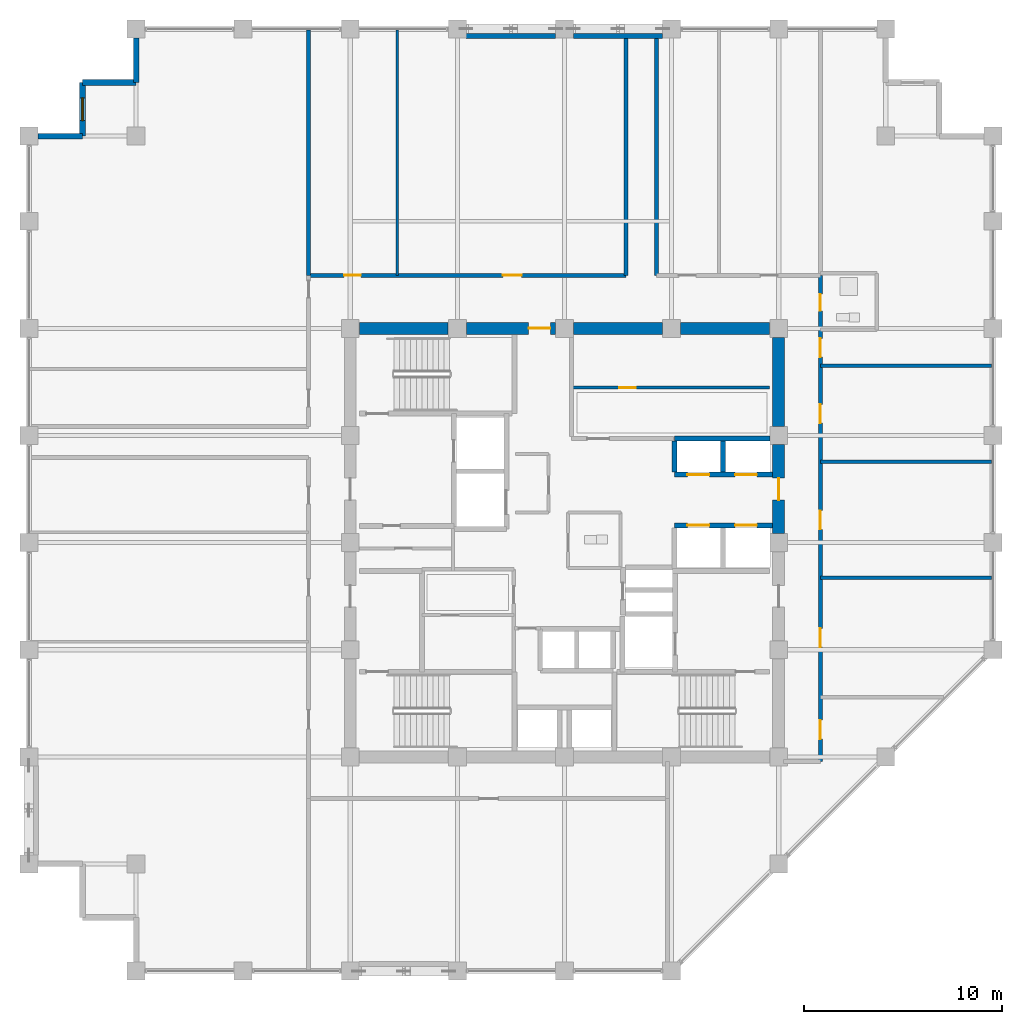
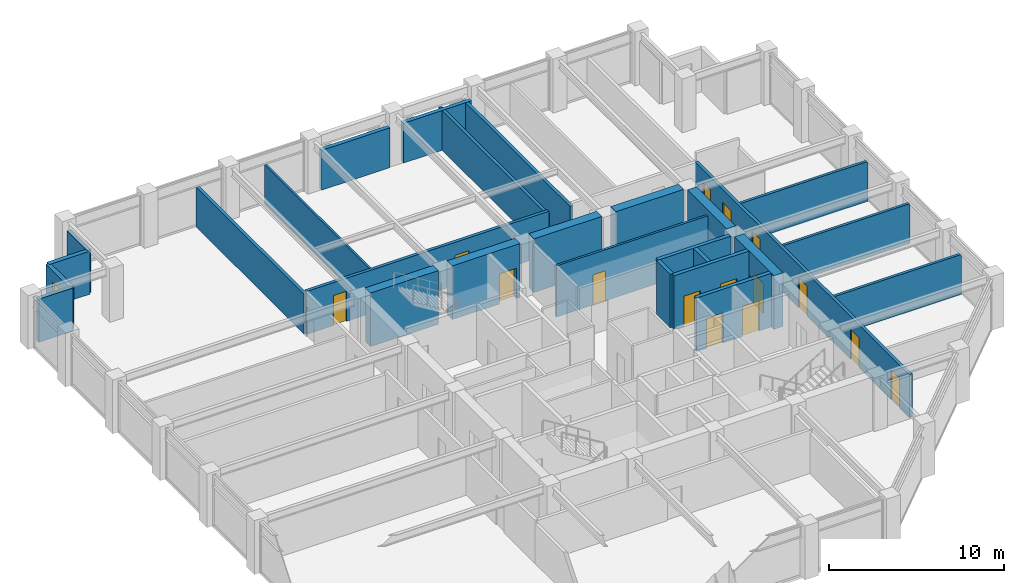
# One storey, part 29 of 32: 27 walls, 15 doors, 1 window, 16 openings.
"""IFC4 building model written with IfcOpenShell, lengths in metres."""

from ifc_helpers import new_model, si_unit, direction, frame, frame_2d, origin, place, context, subcontext, project, spatial, rectangle, extrude, material, layer, layer_set, type_object, element, fill, save


model = new_model("IFC4")

# Units and contexts
model_context = context("Model", 3, precision=1e-05, world=origin(), true_north=direction((0.0, 1.0)))
body_context = subcontext(model_context, "Body", "Model", "MODEL_VIEW")
ifc_project = project(units=[si_unit("LENGTHUNIT", "METRE"), si_unit("AREAUNIT", "SQUARE_METRE"), si_unit("VOLUMEUNIT", "CUBIC_METRE"), si_unit("PLANEANGLEUNIT", "RADIAN"), si_unit("MASSUNIT", "GRAM", prefix="KILO")], contexts=[model_context])

# Site, building, storey
site_placement = place(None, origin())
site = spatial("IfcSite", under=ifc_project, at=site_placement, CompositionType="ELEMENT")
building_placement = place(site_placement, origin())
building = spatial("IfcBuilding", under=site, at=building_placement, Name="Surkhivell Harbour Commons", CompositionType="ELEMENT")
storey_placement = place(building_placement, frame((0.0, 0.0, 197.25)))
storey = spatial("IfcBuildingStorey", under=building, at=storey_placement, Name="L51", CompositionType="ELEMENT", Elevation=197.25)

# Wall
ifc_material_1 = material(Name="Concrete C60/75", Category="concrete")
ifc_layer_1 = layer(ifc_material_1, 0.60009765625)
ifc_layer_set_1 = layer_set([ifc_layer_1], Name="Concrete C60/75")
wall_type_1 = type_object("IfcWallType", Name="WAL-CORE-600", PredefinedType="SHEAR", material=ifc_layer_set_1)
wall_1_placement = place(storey_placement, frame((-10.340087890625, 10.800048828125, 0.0), z_axis=(0.0, 0.0, 1.0), x_axis=(1.0, 0.0, 0.0)))
element("IfcWall", 1, at=wall_1_placement, inside=storey, type_object=wall_type_1, Name="L51 Core Shear Wall North 1", PredefinedType="SHEAR", context=body_context, shape_type="SweptSolid", body=[
    extrude(rectangle(XDim=4.47998046875, YDim=0.60009765625, at=frame_2d((2.239990234375, 0.0))), origin(), (0.0, 0.0, 1.0), 3.75),
])

# Wall, opening, door
wall_2_placement = place(storey_placement, frame((-4.93994140625, 10.800048828125, 0.0), z_axis=(0.0, 0.0, 1.0), x_axis=(1.0, 0.0, 0.0)))
wall_2 = element("IfcWall", 2, at=wall_2_placement, inside=storey, type_object=wall_type_1, Name="L51 Core Shear Wall North 2", PredefinedType="SHEAR", context=body_context, shape_type="SweptSolid", body=[
    extrude(rectangle(XDim=4.47998046875, YDim=0.60009765625, at=frame_2d((2.239990234375, 0.0))), origin(), (0.0, 0.0, 1.0), 3.75),
])
opening_1_placement = place(wall_2_placement, frame((3.1298828125, 0.0, 0.0)))
opening_1 = element("IfcOpeningElement", 3, at=opening_1_placement, cuts=wall_2, Name="Opening ID-2", PredefinedType="OPENING", context=body_context, shape_type="SweptSolid", body=[
    extrude(rectangle(XDim=1.10009765625, YDim=2.10009765625, at=frame_2d((0.550048828125, 1.050048828125))), frame((0.0, 0.31005859375, 0.0), z_axis=(0.0, -1.0, 0.0), x_axis=(1.0, 0.0, 0.0)), (0.0, 0.0, 1.0), 0.6201171875),
])
ifc_material_2 = material(Name="Hardwood-veneered fire-rated door leaf", Category="wood")
door_type_1 = type_object("IfcDoorType", Name="DOR-FD60-1100", OperationType="NOTDEFINED", PredefinedType="DOOR", material=ifc_material_2)
door_1_placement = place(opening_1_placement, origin())
door_1 = element("IfcDoor", 4, at=door_1_placement, inside=storey, type_object=door_type_1, Name="L51 Central Core Lift Hall North Corridor Door", OperationType="SINGLE_SWING_LEFT", OverallHeight=2.10009765625, OverallWidth=1.10009765625, PredefinedType="DOOR", context=body_context, shape_type="SweptSolid", body=[
    extrude(rectangle(XDim=1.10009765625, YDim=2.10009765625, at=frame_2d((0.550048828125, 1.050048828125))), frame((0.0, 0.02490234375, 0.0), z_axis=(0.0, -1.0, 0.0), x_axis=(1.0, 0.0, 0.0)), (0.0, 0.0, 1.0), 0.050048828125),
])
fill(opening_1, door_1)

# Wall
wall_3_placement = place(storey_placement, frame((0.4599609375, 10.800048828125, 0.0), z_axis=(0.0, 0.0, 1.0), x_axis=(1.0, 0.0, 0.0)))
element("IfcWall", 5, at=wall_3_placement, inside=storey, type_object=wall_type_1, Name="L51 Core Shear Wall North 3", PredefinedType="SHEAR", context=body_context, shape_type="SweptSolid", body=[
    extrude(rectangle(XDim=4.47998046875, YDim=0.60009765625, at=frame_2d((2.239990234375, 0.0))), origin(), (0.0, 0.0, 1.0), 3.75),
])

# Wall, opening, door
wall_4_placement = place(storey_placement, frame((10.800048828125, 0.4599609375, 0.0), z_axis=(0.0, 0.0, 1.0), x_axis=(0.0, 1.0, 0.0)))
wall_4 = element("IfcWall", 6, at=wall_4_placement, inside=storey, type_object=wall_type_1, Name="L51 Core Shear Wall East 3", PredefinedType="SHEAR", context=body_context, shape_type="SweptSolid", body=[
    extrude(rectangle(XDim=4.47998046875, YDim=0.60009765625, at=frame_2d((2.239990234375, 0.0))), origin(), (0.0, 0.0, 1.0), 3.75),
])
opening_2_placement = place(wall_4_placement, frame((1.68994140625, 0.0, 0.0)))
opening_2 = element("IfcOpeningElement", 7, at=opening_2_placement, cuts=wall_4, Name="Opening ID-2", PredefinedType="OPENING", context=body_context, shape_type="SweptSolid", body=[
    extrude(rectangle(XDim=1.10009765625, YDim=2.10009765625, at=frame_2d((0.550048828125, 1.050048828125))), frame((0.0, 0.31005859375, 0.0), z_axis=(0.0, -1.0, 0.0), x_axis=(1.0, 0.0, 0.0)), (0.0, 0.0, 1.0), 0.6201171875),
])
door_2_placement = place(opening_2_placement, origin())
door_2 = element("IfcDoor", 8, at=door_2_placement, inside=storey, type_object=door_type_1, Name="L51 Mid-Rise Lobby East Door", OperationType="SINGLE_SWING_LEFT", OverallHeight=2.10009765625, OverallWidth=1.10009765625, PredefinedType="DOOR", context=body_context, shape_type="SweptSolid", body=[
    extrude(rectangle(XDim=1.10009765625, YDim=2.10009765625, at=frame_2d((0.550048828125, 1.050048828125))), frame((0.0, 0.02490234375, 0.0), z_axis=(0.0, -1.0, 0.0), x_axis=(1.0, 0.0, 0.0)), (0.0, 0.0, 1.0), 0.050048828125),
])
fill(opening_2, door_2)

# Walls
for number, where, z_axis, x_axis, name in (
    (9, (5.860107421875, 10.800048828125, 0.0), (0.0, 0.0, 1.0), (1.0, 0.0, 0.0), "L51 Core Shear Wall North 4"),
    (10, (10.800048828125, 5.860107421875, 0.0), (0.0, 0.0, 1.0), (0.0, 1.0, 0.0), "L51 Core Shear Wall East 4"),
):
    element("IfcWall", number, at=place(storey_placement, frame(where, z_axis=z_axis, x_axis=x_axis)), inside=storey, type_object=wall_type_1, Name=name, PredefinedType="SHEAR", context=body_context, shape_type="SweptSolid", body=[
        extrude(rectangle(XDim=4.47998046875, YDim=0.60009765625, at=frame_2d((2.239990234375, 0.0))), origin(), (0.0, 0.0, 1.0), 3.75),
    ])
ifc_material_3 = material(Name="Pale-metal insulated precast concrete C45/55", Category="concrete")
ifc_layer_2 = layer(ifc_material_3, 0.260009765625)
ifc_layer_set_2 = layer_set([ifc_layer_2], Name="Pale-metal insulated precast concrete C45/55")
wall_type_2 = type_object("IfcWallType", Name="WAL-EXT-MTL260", PredefinedType="STANDARD", material=ifc_layer_set_2)
for number, where, z_axis, x_axis, name in (
    (11, (-0.447998046875, 25.5400390625, 0.0), (0.0, 0.0, 1.0), (-1.0, 0.0, 0.0), "L51 Braced-Bay Insulated Spandrel Backing N"),
    (12, (4.951904296875, 25.5400390625, 0.0), (0.0, 0.0, 1.0), (-1.0, 0.0, 0.0), "L51 Braced-Bay Insulated Spandrel Backing N2"),
):
    element("IfcWall", number, at=place(storey_placement, frame(where, z_axis=z_axis, x_axis=x_axis)), inside=storey, type_object=wall_type_2, Name=name, PredefinedType="STANDARD", context=body_context, shape_type="SweptSolid", body=[
        extrude(rectangle(XDim=4.50390625, YDim=0.260009765625, at=frame_2d((2.251953125, 0.0))), origin(), (0.0, 0.0, 1.0), 2.780029296875),
    ])
ifc_material_4 = material(Name="Terracotta-clad reinforced concrete C45/55", Category="masonry")
ifc_layer_3 = layer(ifc_material_4, 0.280029296875)
ifc_layer_set_3 = layer_set([ifc_layer_3], Name="Terracotta-clad reinforced concrete C45/55")
wall_type_3 = type_object("IfcWallType", Name="WAL-EXT-TER280", PredefinedType="STANDARD", material=ifc_layer_set_3)
wall_5_placement = place(storey_placement, frame((-21.60009765625, 25.451904296875, 0.0), z_axis=(0.0, 0.0, 1.0), x_axis=(0.0, -1.0, 0.0)))
element("IfcWall", 13, at=wall_5_placement, inside=storey, type_object=wall_type_3, Name="L51 Serrated Corner Facade Wall 08", PredefinedType="STANDARD", context=body_context, shape_type="SweptSolid", body=[
    extrude(rectangle(XDim=2.251953125, YDim=0.280029296875, at=frame_2d((1.1259765625, 0.0))), origin(), (0.0, 0.0, 1.0), 3.006103515625),
])
wall_6_placement = place(storey_placement, frame((-21.60009765625, 23.199951171875, 0.0), z_axis=(0.0, 0.0, 1.0), x_axis=(-1.0, 0.0, 0.0)))
element("IfcWall", 14, at=wall_6_placement, inside=storey, type_object=wall_type_3, Name="L51 Serrated Corner Facade Wall 09", PredefinedType="STANDARD", context=body_context, shape_type="SweptSolid", body=[
    extrude(rectangle(XDim=2.699951171875, YDim=0.280029296875, at=frame_2d((1.35009765625, 0.0))), origin(), (0.0, 0.0, 1.0), 3.006103515625),
])

# Wall, opening, window
wall_7_placement = place(storey_placement, frame((-24.300048828125, 23.199951171875, 0.0), z_axis=(0.0, 0.0, 1.0), x_axis=(0.0, -1.0, 0.0)))
wall_7 = element("IfcWall", 15, at=wall_7_placement, inside=storey, type_object=wall_type_3, Name="L51 Serrated Corner Facade Wall 10", PredefinedType="STANDARD", context=body_context, shape_type="SweptSolid", body=[
    extrude(rectangle(XDim=2.699951171875, YDim=0.280029296875, at=frame_2d((1.35009765625, 0.0))), origin(), (0.0, 0.0, 1.0), 3.006103515625),
])
opening_3_placement = place(wall_7_placement, frame((0.77490234375, 0.0, 0.64990234375)))
opening_3 = element("IfcOpeningElement", 16, at=opening_3_placement, cuts=wall_7, Name="Opening WN-10", PredefinedType="OPENING", context=body_context, shape_type="SweptSolid", body=[
    extrude(rectangle(XDim=1.14990234375, YDim=1.550048828125, at=frame_2d((0.574951171875, 0.77490234375))), frame((0.0, 0.14990234375, 0.0), z_axis=(0.0, -1.0, 0.0), x_axis=(1.0, 0.0, 0.0)), (0.0, 0.0, 1.0), 0.300048828125),
])
ifc_material_5 = material(Name="Thermal-break aluminium frame and double low-E glazing", Category="aluminium")
window_type = type_object("IfcWindowType", Name="WIN-SER-1150x1550", PartitioningType="SINGLE_PANEL", PredefinedType="WINDOW", material=ifc_material_5)
window_placement = place(opening_3_placement, origin())
window = element("IfcWindow", 17, at=window_placement, inside=storey, type_object=window_type, Name="L51 Serrated Alcove Window 10", OverallHeight=1.550048828125, OverallWidth=1.14990234375, PartitioningType="SINGLE_PANEL", PredefinedType="WINDOW", context=body_context, shape_type="SweptSolid", body=[
    extrude(rectangle(XDim=1.14990234375, YDim=1.550048828125, at=frame_2d((0.574951171875, 0.77490234375))), frame((0.0, 0.030029296875, 0.0), z_axis=(0.0, -1.0, 0.0), x_axis=(1.0, 0.0, 0.0)), (0.0, 0.0, 1.0), 0.06005859375),
])
fill(opening_3, window)

# Walls
wall_8_placement = place(storey_placement, frame((-24.300048828125, 20.5, 0.0), z_axis=(0.0, 0.0, 1.0), x_axis=(-1.0, 0.0, 0.0)))
element("IfcWall", 18, at=wall_8_placement, inside=storey, type_object=wall_type_3, Name="L51 Serrated Corner Facade Wall 11", PredefinedType="STANDARD", context=body_context, shape_type="SweptSolid", body=[
    extrude(rectangle(XDim=2.251953125, YDim=0.280029296875, at=frame_2d((1.1259765625, 0.0))), origin(), (0.0, 0.0, 1.0), 3.006103515625),
])
ifc_material_6 = material(Name="Moisture-resistant acoustic stud partition", Category="other")
ifc_layer_4 = layer(ifc_material_6, 0.125)
ifc_layer_set_4 = layer_set([ifc_layer_4], Name="Moisture-resistant acoustic stud partition")
wall_type_4 = type_object("IfcWallType", Name="WAL-INT-125", PredefinedType="PARTITIONING", material=ifc_layer_set_4)
wall_9_placement = place(storey_placement, frame((-8.419921875, 13.47998046875, 0.0), z_axis=(0.0, 0.0, 1.0), x_axis=(0.0, 1.0, 0.0)))
element("IfcWall", 19, at=wall_9_placement, inside=storey, type_object=wall_type_4, Name="L51 North-West Partition P1", PredefinedType="PARTITIONING", context=body_context, shape_type="SweptSolid", body=[
    extrude(rectangle(XDim=12.360107421875, YDim=0.125, at=frame_2d((6.18017578125, 0.0))), origin(), (0.0, 0.0, 1.0), 2.780029296875),
])

# Wall, opening, door
ifc_material_7 = material(Name="Twin-stud acoustic fireboard partition", Category="other")
ifc_layer_5 = layer(ifc_material_7, 0.14990234375)
ifc_layer_set_5 = layer_set([ifc_layer_5], Name="Twin-stud acoustic fireboard partition")
wall_type_5 = type_object("IfcWallType", Name="WAL-INT-150", PredefinedType="PARTITIONING", material=ifc_layer_set_5)
wall_10_placement = place(storey_placement, frame((0.35009765625, 7.820068359375, 0.0), z_axis=(0.0, 0.0, 1.0), x_axis=(1.0, 0.0, 0.0)))
wall_10 = element("IfcWall", 20, at=wall_10_placement, inside=storey, type_object=wall_type_5, Name="L51 Core Archive Partition", PredefinedType="PARTITIONING", context=body_context, shape_type="SweptSolid", body=[
    extrude(rectangle(XDim=9.989990234375, YDim=0.14990234375, at=frame_2d((4.9951171875, 0.0))), origin(), (0.0, 0.0, 1.0), 3.570068359375),
])
opening_4_placement = place(wall_10_placement, frame((2.39990234375, 0.0, 0.0)))
opening_4 = element("IfcOpeningElement", 21, at=opening_4_placement, cuts=wall_10, Name="Opening ID-6", PredefinedType="OPENING", context=body_context, shape_type="SweptSolid", body=[
    extrude(rectangle(XDim=0.85009765625, YDim=2.10009765625, at=frame_2d((0.425048828125, 1.050048828125))), frame((0.0, 0.0849609375, 0.0), z_axis=(0.0, -1.0, 0.0), x_axis=(1.0, 0.0, 0.0)), (0.0, 0.0, 1.0), 0.169921875),
])
door_type_2 = type_object("IfcDoorType", Name="DOR-FD30-850", OperationType="NOTDEFINED", PredefinedType="DOOR", material=ifc_material_2)
door_3_placement = place(opening_4_placement, origin())
door_3 = element("IfcDoor", 22, at=door_3_placement, inside=storey, type_object=door_type_2, Name="L51 Archive Room Door", OperationType="SINGLE_SWING_LEFT", OverallHeight=2.10009765625, OverallWidth=0.85009765625, PredefinedType="DOOR", context=body_context, shape_type="SweptSolid", body=[
    extrude(rectangle(XDim=0.85009765625, YDim=2.10009765625, at=frame_2d((0.425048828125, 1.050048828125))), frame((0.0, 0.02490234375, 0.0), z_axis=(0.0, -1.0, 0.0), x_axis=(1.0, 0.0, 0.0)), (0.0, 0.0, 1.0), 0.050048828125),
])
fill(opening_4, door_3)

# Walls
ifc_material_8 = material(Name="High-density acoustic blockwork fire partition", Category="masonry")
ifc_layer_6 = layer(ifc_material_8, 0.175048828125)
ifc_layer_set_6 = layer_set([ifc_layer_6], Name="High-density acoustic blockwork fire partition")
wall_type_6 = type_object("IfcWallType", Name="WAL-INT-175", PredefinedType="PARTITIONING", material=ifc_layer_set_6)
for number, where, z_axis, x_axis, name in (
    (23, (12.89990234375, -1.780029296875, 0.0), (0.0, 0.0, 1.0), (1.0, 0.0, 0.0), "L51 East Partition BDP1"),
    (24, (12.89990234375, 4.080078125, 0.0), (0.0, 0.0, 1.0), (1.0, 0.0, 0.0), "L51 East Partition BDP2"),
    (25, (12.89990234375, 8.929931640625, 0.0), (0.0, 0.0, 1.0), (1.0, 0.0, 0.0), "L51 East Partition PTOP"),
):
    element("IfcWall", number, at=place(storey_placement, frame(where, z_axis=z_axis, x_axis=x_axis)), inside=storey, type_object=wall_type_6, Name=name, PredefinedType="PARTITIONING", context=body_context, shape_type="SweptSolid", body=[
        extrude(rectangle(XDim=8.64013671875, YDim=0.175048828125, at=frame_2d((4.320068359375, 0.0))), origin(), (0.0, 0.0, 1.0), 2.780029296875),
    ])
ifc_material_9 = material(Name="Autoclaved aerated concrete blockwork and fire plaster", Category="masonry")
ifc_layer_7 = layer(ifc_material_9, 0.199951171875)
ifc_layer_set_7 = layer_set([ifc_layer_7], Name="Autoclaved aerated concrete blockwork and fire plaster")
wall_type_7 = type_object("IfcWallType", Name="WAL-INT-200", PredefinedType="PARTITIONING", material=ifc_layer_set_7)
wall_11_placement = place(storey_placement, frame((-12.89990234375, 13.47998046875, 0.0), z_axis=(0.0, 0.0, 1.0), x_axis=(0.0, 1.0, 0.0)))
element("IfcWall", 26, at=wall_11_placement, inside=storey, type_object=wall_type_7, Name="L51 North-West Corner Wall", PredefinedType="PARTITIONING", context=body_context, shape_type="SweptSolid", body=[
    extrude(rectangle(XDim=12.360107421875, YDim=0.199951171875, at=frame_2d((6.18017578125, 0.0))), origin(), (0.0, 0.0, 1.0), 2.780029296875),
])

# Wall, openings, doors
wall_12_placement = place(storey_placement, frame((12.89990234375, -11.0400390625, 0.0), z_axis=(0.0, 0.0, 1.0), x_axis=(0.0, 1.0, 0.0)))
wall_12 = element("IfcWall", 27, at=wall_12_placement, inside=storey, type_object=wall_type_7, Name="L51 Corridor East Wall", PredefinedType="PARTITIONING", context=body_context, shape_type="SweptSolid", body=[
    extrude(rectangle(XDim=24.52001953125, YDim=0.199951171875, at=frame_2d((12.260009765625, 0.0))), origin(), (0.0, 0.0, 1.0), 3.006103515625),
])
opening_5_placement = place(wall_12_placement, frame((1.139892578125, 0.0, 0.0)))
opening_5 = element("IfcOpeningElement", 28, at=opening_5_placement, cuts=wall_12, Name="Opening ID-4", PredefinedType="OPENING", context=body_context, shape_type="SweptSolid", body=[
    extrude(rectangle(XDim=0.949951171875, YDim=2.10009765625, at=frame_2d((0.47509765625, 1.050048828125))), frame((0.0, 0.10986328125, 0.0), z_axis=(0.0, -1.0, 0.0), x_axis=(1.0, 0.0, 0.0)), (0.0, 0.0, 1.0), 0.219970703125),
])
opening_6_placement = place(wall_12_placement, frame((22.72509765625, 0.0, 0.0)))
opening_6 = element("IfcOpeningElement", 29, at=opening_6_placement, cuts=wall_12, Name="Opening ID-6", PredefinedType="OPENING", context=body_context, shape_type="SweptSolid", body=[
    extrude(rectangle(XDim=0.85009765625, YDim=2.10009765625, at=frame_2d((0.425048828125, 1.050048828125))), frame((0.0, 0.10986328125, 0.0), z_axis=(0.0, -1.0, 0.0), x_axis=(1.0, 0.0, 0.0)), (0.0, 0.0, 1.0), 0.219970703125),
])
opening_7_placement = place(wall_12_placement, frame((20.389892578125, 0.0, 0.0)))
opening_7 = element("IfcOpeningElement", 30, at=opening_7_placement, cuts=wall_12, Name="Opening ID-4", PredefinedType="OPENING", context=body_context, shape_type="SweptSolid", body=[
    extrude(rectangle(XDim=0.949951171875, YDim=2.10009765625, at=frame_2d((0.47509765625, 1.050048828125))), frame((0.0, 0.10986328125, 0.0), z_axis=(0.0, -1.0, 0.0), x_axis=(1.0, 0.0, 0.0)), (0.0, 0.0, 1.0), 0.219970703125),
])
opening_8_placement = place(wall_12_placement, frame((5.77001953125, 0.0, 0.0)))
opening_8 = element("IfcOpeningElement", 31, at=opening_8_placement, cuts=wall_12, Name="Opening ID-4", PredefinedType="OPENING", context=body_context, shape_type="SweptSolid", body=[
    extrude(rectangle(XDim=0.949951171875, YDim=2.10009765625, at=frame_2d((0.47509765625, 1.050048828125))), frame((0.0, 0.10986328125, 0.0), z_axis=(0.0, -1.0, 0.0), x_axis=(1.0, 0.0, 0.0)), (0.0, 0.0, 1.0), 0.219970703125),
])
opening_9_placement = place(wall_12_placement, frame((11.7099609375, 0.0, 0.0)))
opening_9 = element("IfcOpeningElement", 32, at=opening_9_placement, cuts=wall_12, Name="Opening ID-4", PredefinedType="OPENING", context=body_context, shape_type="SweptSolid", body=[
    extrude(rectangle(XDim=0.949951171875, YDim=2.10009765625, at=frame_2d((0.47509765625, 1.050048828125))), frame((0.0, 0.10986328125, 0.0), z_axis=(0.0, -1.0, 0.0), x_axis=(1.0, 0.0, 0.0)), (0.0, 0.0, 1.0), 0.219970703125),
])
opening_10_placement = place(wall_12_placement, frame((17.06494140625, 0.0, 0.0)))
opening_10 = element("IfcOpeningElement", 33, at=opening_10_placement, cuts=wall_12, Name="Opening ID-4", PredefinedType="OPENING", context=body_context, shape_type="SweptSolid", body=[
    extrude(rectangle(XDim=0.949951171875, YDim=2.10009765625, at=frame_2d((0.47509765625, 1.050048828125))), frame((0.0, 0.10986328125, 0.0), z_axis=(0.0, -1.0, 0.0), x_axis=(1.0, 0.0, 0.0)), (0.0, 0.0, 1.0), 0.219970703125),
])
door_4_placement = place(opening_6_placement, origin())
door_4 = element("IfcDoor", 34, at=door_4_placement, inside=storey, type_object=door_type_2, Name="L51 Communal Shower Bathroom East Door", OperationType="SINGLE_SWING_RIGHT", OverallHeight=2.10009765625, OverallWidth=0.85009765625, PredefinedType="DOOR", context=body_context, shape_type="SweptSolid", body=[
    extrude(rectangle(XDim=0.85009765625, YDim=2.10009765625, at=frame_2d((0.425048828125, 1.050048828125))), frame((0.0, 0.02490234375, 0.0), z_axis=(0.0, -1.0, 0.0), x_axis=(1.0, 0.0, 0.0)), (0.0, 0.0, 1.0), 0.050048828125),
])
fill(opening_6, door_4)
door_type_3 = type_object("IfcDoorType", Name="DOR-FD60-950", OperationType="NOTDEFINED", PredefinedType="DOOR", material=ifc_material_2)
door_5_placement = place(opening_5_placement, origin())
door_5 = element("IfcDoor", 35, at=door_5_placement, inside=storey, type_object=door_type_3, Name="L51 Shared Communal Kitchen East Door", OperationType="SINGLE_SWING_LEFT", OverallHeight=2.10009765625, OverallWidth=0.949951171875, PredefinedType="DOOR", context=body_context, shape_type="SweptSolid", body=[
    extrude(rectangle(XDim=0.949951171875, YDim=2.10009765625, at=frame_2d((0.47509765625, 1.050048828125))), frame((0.0, 0.02490234375, 0.0), z_axis=(0.0, -1.0, 0.0), x_axis=(1.0, 0.0, 0.0)), (0.0, 0.0, 1.0), 0.050048828125),
])
fill(opening_5, door_5)
door_6_placement = place(opening_7_placement, origin())
door_6 = element("IfcDoor", 36, at=door_6_placement, inside=storey, type_object=door_type_3, Name="L51 Academic Reading Commons East Door", OperationType="SINGLE_SWING_LEFT", OverallHeight=2.10009765625, OverallWidth=0.949951171875, PredefinedType="DOOR", context=body_context, shape_type="SweptSolid", body=[
    extrude(rectangle(XDim=0.949951171875, YDim=2.10009765625, at=frame_2d((0.47509765625, 1.050048828125))), frame((0.0, 0.02490234375, 0.0), z_axis=(0.0, -1.0, 0.0), x_axis=(1.0, 0.0, 0.0)), (0.0, 0.0, 1.0), 0.050048828125),
])
fill(opening_7, door_6)
door_7_placement = place(opening_8_placement, origin())
door_7 = element("IfcDoor", 37, at=door_7_placement, inside=storey, type_object=door_type_3, Name="L51 Hostel Cluster Bedroom 1 East Door", OperationType="SINGLE_SWING_RIGHT", OverallHeight=2.10009765625, OverallWidth=0.949951171875, PredefinedType="DOOR", context=body_context, shape_type="SweptSolid", body=[
    extrude(rectangle(XDim=0.949951171875, YDim=2.10009765625, at=frame_2d((0.47509765625, 1.050048828125))), frame((0.0, 0.02490234375, 0.0), z_axis=(0.0, -1.0, 0.0), x_axis=(1.0, 0.0, 0.0)), (0.0, 0.0, 1.0), 0.050048828125),
])
fill(opening_8, door_7)
door_8_placement = place(opening_9_placement, origin())
door_8 = element("IfcDoor", 38, at=door_8_placement, inside=storey, type_object=door_type_3, Name="L51 Co-Living Dormitory Bedroom 2 East Door", OperationType="SINGLE_SWING_LEFT", OverallHeight=2.10009765625, OverallWidth=0.949951171875, PredefinedType="DOOR", context=body_context, shape_type="SweptSolid", body=[
    extrude(rectangle(XDim=0.949951171875, YDim=2.10009765625, at=frame_2d((0.47509765625, 1.050048828125))), frame((0.0, 0.02490234375, 0.0), z_axis=(0.0, -1.0, 0.0), x_axis=(1.0, 0.0, 0.0)), (0.0, 0.0, 1.0), 0.050048828125),
])
fill(opening_9, door_8)
door_9_placement = place(opening_10_placement, origin())
door_9 = element("IfcDoor", 39, at=door_9_placement, inside=storey, type_object=door_type_3, Name="L51 Hostel Cluster Bedroom 3 East Door", OperationType="SINGLE_SWING_RIGHT", OverallHeight=2.10009765625, OverallWidth=0.949951171875, PredefinedType="DOOR", context=body_context, shape_type="SweptSolid", body=[
    extrude(rectangle(XDim=0.949951171875, YDim=2.10009765625, at=frame_2d((0.47509765625, 1.050048828125))), frame((0.0, 0.02490234375, 0.0), z_axis=(0.0, -1.0, 0.0), x_axis=(1.0, 0.0, 0.0)), (0.0, 0.0, 1.0), 0.050048828125),
])
fill(opening_10, door_9)

wall_13_placement = place(storey_placement, frame((-12.89990234375, 13.47998046875, 0.0), z_axis=(0.0, 0.0, 1.0), x_axis=(1.0, 0.0, 0.0)))
wall_13 = element("IfcWall", 40, at=wall_13_placement, inside=storey, type_object=wall_type_7, Name="L51 Corridor North-West Wall", PredefinedType="PARTITIONING", context=body_context, shape_type="SweptSolid", body=[
    extrude(rectangle(XDim=16.0, YDim=0.199951171875, at=frame_2d((8.0, 0.0))), origin(), (0.0, 0.0, 1.0), 3.006103515625),
])
opening_11_placement = place(wall_13_placement, frame((1.7900390625, 0.0, 0.0)))
opening_11 = element("IfcOpeningElement", 41, at=opening_11_placement, cuts=wall_13, Name="Opening ID-6", PredefinedType="OPENING", context=body_context, shape_type="SweptSolid", body=[
    extrude(rectangle(XDim=0.85009765625, YDim=2.10009765625, at=frame_2d((0.425048828125, 1.050048828125))), frame((0.0, 0.10986328125, 0.0), z_axis=(0.0, -1.0, 0.0), x_axis=(1.0, 0.0, 0.0)), (0.0, 0.0, 1.0), 0.219970703125),
])
opening_12_placement = place(wall_13_placement, frame((9.7900390625, 0.0, 0.0)))
opening_12 = element("IfcOpeningElement", 42, at=opening_12_placement, cuts=wall_13, Name="Opening ID-4", PredefinedType="OPENING", context=body_context, shape_type="SweptSolid", body=[
    extrude(rectangle(XDim=0.949951171875, YDim=2.10009765625, at=frame_2d((0.47509765625, 1.050048828125))), frame((0.0, 0.10986328125, 0.0), z_axis=(0.0, -1.0, 0.0), x_axis=(1.0, 0.0, 0.0)), (0.0, 0.0, 1.0), 0.219970703125),
])
door_10_placement = place(opening_11_placement, origin())
door_10 = element("IfcDoor", 43, at=door_10_placement, inside=storey, type_object=door_type_2, Name="L51 Shared Communal Kitchen A North-West Door", OperationType="SINGLE_SWING_LEFT", OverallHeight=2.10009765625, OverallWidth=0.85009765625, PredefinedType="DOOR", context=body_context, shape_type="SweptSolid", body=[
    extrude(rectangle(XDim=0.85009765625, YDim=2.10009765625, at=frame_2d((0.425048828125, 1.050048828125))), frame((0.0, 0.02490234375, 0.0), z_axis=(0.0, -1.0, 0.0), x_axis=(1.0, 0.0, 0.0)), (0.0, 0.0, 1.0), 0.050048828125),
])
fill(opening_11, door_10)
door_11_placement = place(opening_12_placement, origin())
door_11 = element("IfcDoor", 44, at=door_11_placement, inside=storey, type_object=door_type_3, Name="L51 Shared Communal Kitchen B North-West Door", OperationType="SINGLE_SWING_RIGHT", OverallHeight=2.10009765625, OverallWidth=0.949951171875, PredefinedType="DOOR", context=body_context, shape_type="SweptSolid", body=[
    extrude(rectangle(XDim=0.949951171875, YDim=2.10009765625, at=frame_2d((0.47509765625, 1.050048828125))), frame((0.0, 0.02490234375, 0.0), z_axis=(0.0, -1.0, 0.0), x_axis=(1.0, 0.0, 0.0)), (0.0, 0.0, 1.0), 0.050048828125),
])
fill(opening_12, door_11)

# Walls
for number, where, z_axis, x_axis, name in (
    (45, (4.64990234375, 13.47998046875, 0.0), (0.0, 0.0, 1.0), (0.0, 1.0, 0.0), "L51 North Spur East Wall"),
    (46, (3.10009765625, 13.47998046875, 0.0), (0.0, 0.0, 1.0), (0.0, 1.0, 0.0), "L51 North Spur West Wall"),
):
    element("IfcWall", number, at=place(storey_placement, frame(where, z_axis=z_axis, x_axis=x_axis)), inside=storey, type_object=wall_type_7, Name=name, PredefinedType="PARTITIONING", context=body_context, shape_type="SweptSolid", body=[
        extrude(rectangle(XDim=12.360107421875, YDim=0.199951171875, at=frame_2d((6.18017578125, 0.0))), origin(), (0.0, 0.0, 1.0), 2.780029296875),
    ])
ifc_material_10 = material(Name="Concrete C50/60", Category="concrete")
ifc_layer_8 = layer(ifc_material_10, 0.25)
ifc_layer_set_8 = layer_set([ifc_layer_8], Name="Concrete C50/60")
wall_type_8 = type_object("IfcWallType", Name="WAL-SHAFT-250", PredefinedType="SHEAR", material=ifc_layer_set_8)
for number, where, z_axis, x_axis, name in (
    (47, (5.550048828125, 3.550048828125, 0.0), (0.0, 0.0, 1.0), (0.0, 1.0, 0.0), "L51 Mid-Rise Shaft Side Wall N"),
    (48, (8.0, 3.550048828125, 0.0), (0.0, 0.0, 1.0), (0.0, 1.0, 0.0), "L51 Mid-Rise Shaft Side Wall N"),
):
    element("IfcWall", number, at=place(storey_placement, frame(where, z_axis=z_axis, x_axis=x_axis)), inside=storey, type_object=wall_type_8, Name=name, PredefinedType="SHEAR", context=body_context, shape_type="SweptSolid", body=[
        extrude(rectangle(XDim=1.570068359375, YDim=0.25, at=frame_2d((0.78515625, 0.0))), origin(), (0.0, 0.0, 1.0), 3.75),
    ])

# Wall, openings, doors
wall_14_placement = place(storey_placement, frame((5.550048828125, 3.429931640625, 0.0), z_axis=(0.0, 0.0, 1.0), x_axis=(1.0, 0.0, 0.0)))
wall_14 = element("IfcWall", 49, at=wall_14_placement, inside=storey, type_object=wall_type_8, Name="L51 Mid-Rise North Front Shaft Wall", PredefinedType="SHEAR", context=body_context, shape_type="SweptSolid", body=[
    extrude(rectangle(XDim=4.949951171875, YDim=0.25, at=frame_2d((2.47509765625, 0.0))), origin(), (0.0, 0.0, 1.0), 3.75),
])
opening_13_placement = place(wall_14_placement, frame((0.64990234375, 0.0, 0.0)))
opening_13 = element("IfcOpeningElement", 50, at=opening_13_placement, cuts=wall_14, Name="Opening LD-1", PredefinedType="OPENING", context=body_context, shape_type="SweptSolid", body=[
    extrude(rectangle(XDim=1.10009765625, YDim=2.10009765625, at=frame_2d((0.550048828125, 1.050048828125))), frame((0.0, 0.135009765625, 0.0), z_axis=(0.0, -1.0, 0.0), x_axis=(1.0, 0.0, 0.0)), (0.0, 0.0, 1.0), 0.27001953125),
])
opening_14_placement = place(wall_14_placement, frame((3.050048828125, 0.0, 0.0)))
opening_14 = element("IfcOpeningElement", 51, at=opening_14_placement, cuts=wall_14, Name="Opening LD-1", PredefinedType="OPENING", context=body_context, shape_type="SweptSolid", body=[
    extrude(rectangle(XDim=1.10009765625, YDim=2.10009765625, at=frame_2d((0.550048828125, 1.050048828125))), frame((0.0, 0.135009765625, 0.0), z_axis=(0.0, -1.0, 0.0), x_axis=(1.0, 0.0, 0.0)), (0.0, 0.0, 1.0), 0.27001953125),
])
ifc_material_11 = material(Name="Brushed stainless steel S355", Category="steel")
door_type_4 = type_object("IfcDoorType", Name="DOR-LD-1100", OperationType="SLIDING_TO_LEFT", PredefinedType="DOOR", material=ifc_material_11)
door_12_placement = place(opening_13_placement, origin())
door_12 = element("IfcDoor", 52, at=door_12_placement, inside=storey, type_object=door_type_4, Name="L51 Lift Landing Door LD-PM1", OperationType="SLIDING_TO_RIGHT", OverallHeight=2.10009765625, OverallWidth=1.10009765625, PredefinedType="DOOR", context=body_context, shape_type="SweptSolid", body=[
    extrude(rectangle(XDim=1.10009765625, YDim=2.10009765625, at=frame_2d((0.550048828125, 1.050048828125))), frame((0.0, 0.02490234375, 0.0), z_axis=(0.0, -1.0, 0.0), x_axis=(1.0, 0.0, 0.0)), (0.0, 0.0, 1.0), 0.050048828125),
])
fill(opening_13, door_12)
door_13_placement = place(opening_14_placement, origin())
door_13 = element("IfcDoor", 53, at=door_13_placement, inside=storey, type_object=door_type_4, Name="L51 Lift Landing Door LD-PM2", OperationType="SLIDING_TO_RIGHT", OverallHeight=2.10009765625, OverallWidth=1.10009765625, PredefinedType="DOOR", context=body_context, shape_type="SweptSolid", body=[
    extrude(rectangle(XDim=1.10009765625, YDim=2.10009765625, at=frame_2d((0.550048828125, 1.050048828125))), frame((0.0, 0.02490234375, 0.0), z_axis=(0.0, -1.0, 0.0), x_axis=(1.0, 0.0, 0.0)), (0.0, 0.0, 1.0), 0.050048828125),
])
fill(opening_14, door_13)

# Wall
wall_15_placement = place(storey_placement, frame((5.550048828125, 5.239990234375, 0.0), z_axis=(0.0, 0.0, 1.0), x_axis=(1.0, 0.0, 0.0)))
element("IfcWall", 54, at=wall_15_placement, inside=storey, type_object=wall_type_8, Name="L51 Mid-Rise North Back Shaft Wall", PredefinedType="SHEAR", context=body_context, shape_type="SweptSolid", body=[
    extrude(rectangle(XDim=4.800048828125, YDim=0.25, at=frame_2d((2.39990234375, 0.0))), origin(), (0.0, 0.0, 1.0), 3.75),
])

# Wall, openings, doors
wall_16_placement = place(storey_placement, frame((5.550048828125, 0.8701171875, 0.0), z_axis=(0.0, 0.0, 1.0), x_axis=(1.0, 0.0, 0.0)))
wall_16 = element("IfcWall", 55, at=wall_16_placement, inside=storey, type_object=wall_type_8, Name="L51 Mid-Rise South Front Shaft Wall", PredefinedType="SHEAR", context=body_context, shape_type="SweptSolid", body=[
    extrude(rectangle(XDim=4.949951171875, YDim=0.25, at=frame_2d((2.47509765625, 0.0))), origin(), (0.0, 0.0, 1.0), 3.75),
])
opening_15_placement = place(wall_16_placement, frame((0.64990234375, 0.0, 0.0)))
opening_15 = element("IfcOpeningElement", 56, at=opening_15_placement, cuts=wall_16, Name="Opening LD-1", PredefinedType="OPENING", context=body_context, shape_type="SweptSolid", body=[
    extrude(rectangle(XDim=1.10009765625, YDim=2.10009765625, at=frame_2d((0.550048828125, 1.050048828125))), frame((0.0, 0.135009765625, 0.0), z_axis=(0.0, -1.0, 0.0), x_axis=(1.0, 0.0, 0.0)), (0.0, 0.0, 1.0), 0.27001953125),
])
opening_16_placement = place(wall_16_placement, frame((3.050048828125, 0.0, 0.0)))
opening_16 = element("IfcOpeningElement", 57, at=opening_16_placement, cuts=wall_16, Name="Opening LD-1", PredefinedType="OPENING", context=body_context, shape_type="SweptSolid", body=[
    extrude(rectangle(XDim=1.10009765625, YDim=2.10009765625, at=frame_2d((0.550048828125, 1.050048828125))), frame((0.0, 0.135009765625, 0.0), z_axis=(0.0, -1.0, 0.0), x_axis=(1.0, 0.0, 0.0)), (0.0, 0.0, 1.0), 0.27001953125),
])
door_14_placement = place(opening_15_placement, origin())
door_14 = element("IfcDoor", 58, at=door_14_placement, inside=storey, type_object=door_type_4, Name="L51 Lift Landing Door LD-PM3", OperationType="SLIDING_TO_RIGHT", OverallHeight=2.10009765625, OverallWidth=1.10009765625, PredefinedType="DOOR", context=body_context, shape_type="SweptSolid", body=[
    extrude(rectangle(XDim=1.10009765625, YDim=2.10009765625, at=frame_2d((0.550048828125, 1.050048828125))), frame((0.0, 0.02490234375, 0.0), z_axis=(0.0, -1.0, 0.0), x_axis=(1.0, 0.0, 0.0)), (0.0, 0.0, 1.0), 0.050048828125),
])
fill(opening_15, door_14)
door_15_placement = place(opening_16_placement, origin())
door_15 = element("IfcDoor", 59, at=door_15_placement, inside=storey, type_object=door_type_4, Name="L51 Lift Landing Door LD-PM4", OperationType="SLIDING_TO_RIGHT", OverallHeight=2.10009765625, OverallWidth=1.10009765625, PredefinedType="DOOR", context=body_context, shape_type="SweptSolid", body=[
    extrude(rectangle(XDim=1.10009765625, YDim=2.10009765625, at=frame_2d((0.550048828125, 1.050048828125))), frame((0.0, 0.02490234375, 0.0), z_axis=(0.0, -1.0, 0.0), x_axis=(1.0, 0.0, 0.0)), (0.0, 0.0, 1.0), 0.050048828125),
])
fill(opening_16, door_15)

save(model, "model.ifc")
